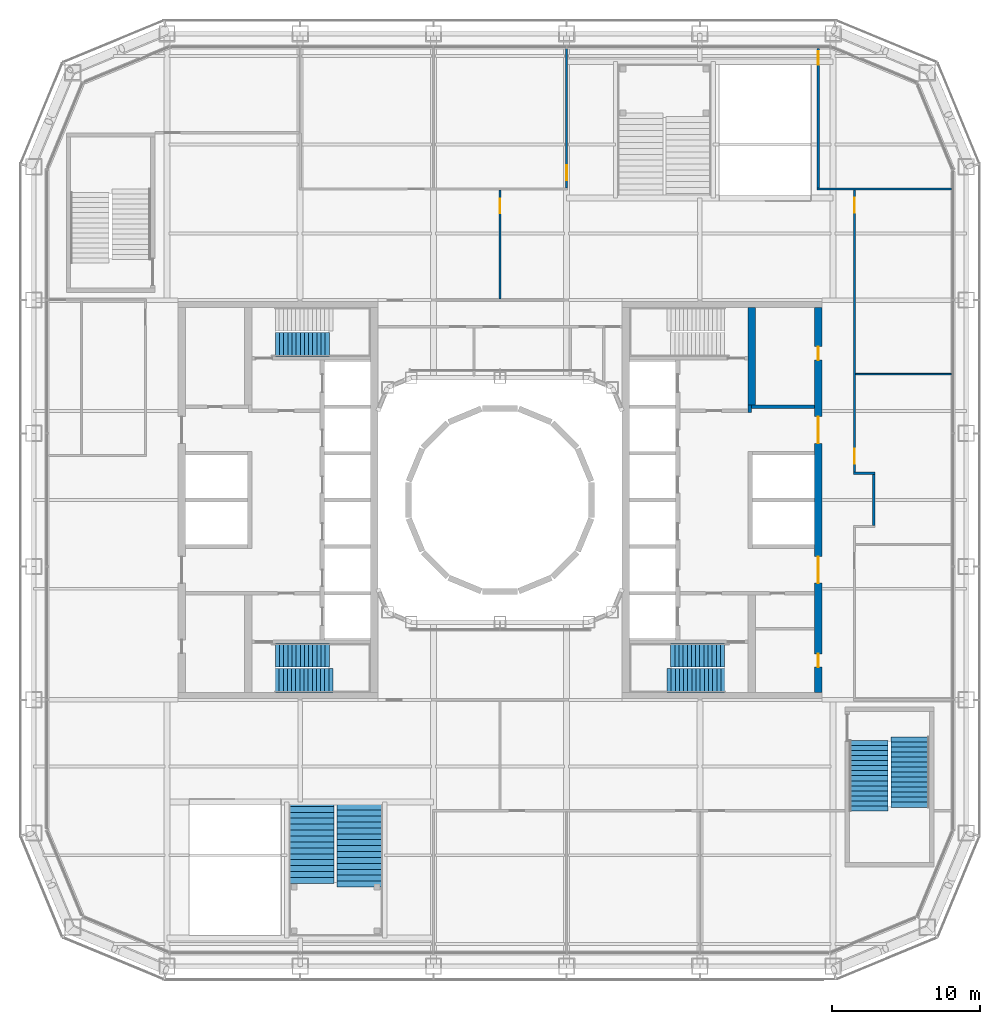
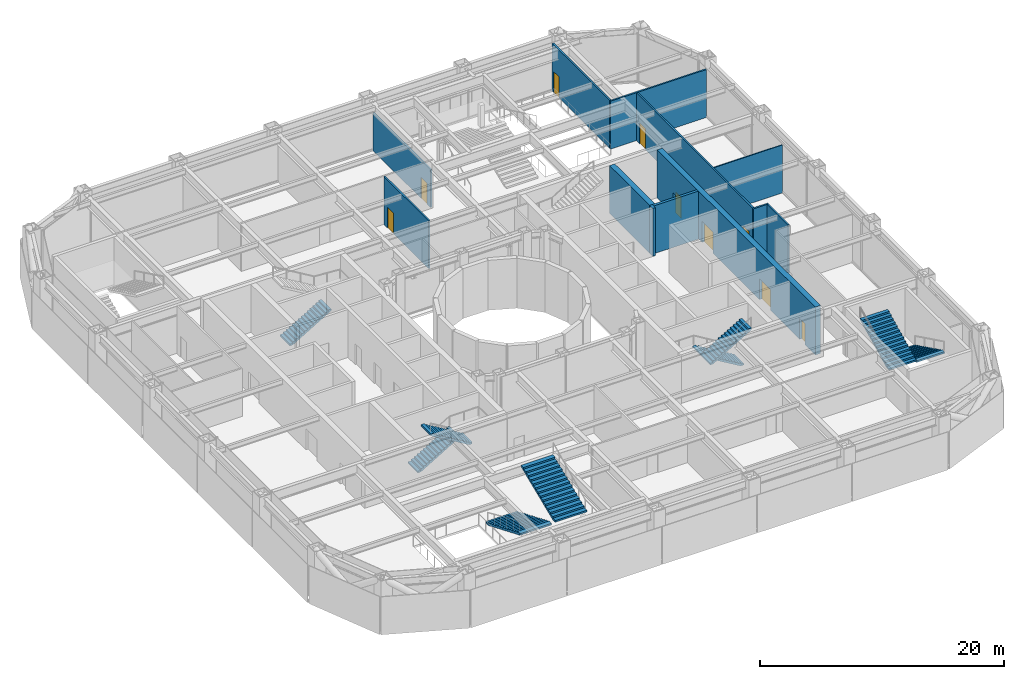
# One storey, part 15 of 25: 12 walls, 9 doors, 9 stair flights, 9 openings, 5 elements without a shape of their own.
"""IFC4 building model written with IfcOpenShell, lengths in metres."""

from ifc_helpers import new_model, si_unit, direction, frame, frame_2d, origin, place, context, subcontext, project, spatial, polyline, rectangle, outline, extrude, material, layer, layer_set, type_object, element, fill, aggregate, save


model = new_model("IFC4")

# Units and contexts
model_context = context("Model", 3, precision=1e-05, world=origin(), true_north=direction((0.0, 1.0)))
body_context = subcontext(model_context, "Body", "Model", "MODEL_VIEW")
ifc_project = project(units=[si_unit("LENGTHUNIT", "METRE"), si_unit("AREAUNIT", "SQUARE_METRE"), si_unit("VOLUMEUNIT", "CUBIC_METRE"), si_unit("PLANEANGLEUNIT", "RADIAN"), si_unit("MASSUNIT", "GRAM", prefix="KILO")], contexts=[model_context])

# Site, building, storey
site_placement = place(None, origin())
site = spatial("IfcSite", under=ifc_project, at=site_placement, CompositionType="ELEMENT")
building_placement = place(site_placement, origin())
building = spatial("IfcBuilding", under=site, at=building_placement, Name="Siwar Civic Tower", CompositionType="ELEMENT")
storey_placement = place(building_placement, frame((0.0, 0.0, 7.199951171875)))
storey = spatial("IfcBuildingStorey", under=building, at=storey_placement, Name="L01", CompositionType="ELEMENT", Elevation=7.199951171875)

# Wall
ifc_material_1 = material(Name="Gypsum board on steel studs", Category="steel")
ifc_layer_1 = layer(ifc_material_1, 0.14990234375)
ifc_layer_set_1 = layer_set([ifc_layer_1], Name="Gypsum board on steel studs")
wall_type_1 = type_object("IfcWallType", Name="COMPARTMENT PARTITION 150 EI 60", PredefinedType="PARTITIONING", material=ifc_layer_set_1)
wall_1_placement = place(storey_placement, frame((21.425048828125, 21.0, 0.0), z_axis=(0.0, 0.0, 1.0), x_axis=(1.0, 0.0, 0.0)))
element("IfcWall", 1, at=wall_1_placement, inside=storey, type_object=wall_type_1, Name="L01/wall/P15", PredefinedType="PARTITIONING", context=body_context, shape_type="SweptSolid", body=[
    extrude(rectangle(XDim=9.0849609375, YDim=0.14990234375, at=frame_2d((4.54248046875, 0.0))), origin(), (0.0, 0.0, 1.0), 4.800048828125),
])

# Wall, opening, door
wall_2_placement = place(storey_placement, frame((21.5, 21.074951171875, 0.0), z_axis=(0.0, 0.0, 1.0), x_axis=(0.0, 1.0, 0.0)))
wall_2 = element("IfcWall", 2, at=wall_2_placement, inside=storey, type_object=wall_type_1, Name="L01/wall/P31", PredefinedType="PARTITIONING", context=body_context, shape_type="SweptSolid", body=[
    extrude(rectangle(XDim=9.43505859375, YDim=0.14990234375, at=frame_2d((4.717529296875, 0.0))), origin(), (0.0, 0.0, 1.0), 4.800048828125),
])
opening_1_placement = place(wall_2_placement, frame((8.324951171875, 0.0, 0.0)))
opening_1 = element("IfcOpeningElement", 3, at=opening_1_placement, cuts=wall_2, Name="Opening D4", PredefinedType="OPENING", context=body_context, shape_type="SweptSolid", body=[
    extrude(rectangle(XDim=0.89990234375, YDim=2.10009765625, at=frame_2d((0.449951171875, 1.050048828125))), frame((0.0, 0.0849609375, 0.0), z_axis=(0.0, -1.0, 0.0), x_axis=(1.0, 0.0, 0.0)), (0.0, 0.0, 1.0), 0.169921875),
])
ifc_material_2 = material(Name="Timber, painted", Category="wood")
door_type_1 = type_object("IfcDoorType", Name="DOOR 900 X 2100 FD60", OperationType="SINGLE_SWING_LEFT", PredefinedType="DOOR", material=ifc_material_2)
door_1_placement = place(opening_1_placement, origin())
door_1 = element("IfcDoor", 4, at=door_1_placement, inside=storey, type_object=door_type_1, Name="L01-D19", OperationType="SINGLE_SWING_RIGHT", OverallHeight=2.10009765625, OverallWidth=0.89990234375, PredefinedType="DOOR", context=body_context, shape_type="SweptSolid", body=[
    extrude(rectangle(XDim=0.89990234375, YDim=2.10009765625, at=frame_2d((0.449951171875, 1.050048828125))), frame((0.0, 0.02490234375, 0.0), z_axis=(0.0, -1.0, 0.0), x_axis=(1.0, 0.0, 0.0)), (0.0, 0.0, 1.0), 0.050048828125),
])
fill(opening_1, door_1)

# Walls
ifc_material_3 = material(Name="Concrete C60/75", Category="concrete")
ifc_layer_2 = layer(ifc_material_3, 0.25)
ifc_layer_set_2 = layer_set([ifc_layer_2], Name="Concrete C60/75")
wall_type_2 = type_object("IfcWallType", Name="CORE-WALL-RC250", PredefinedType="SHEAR", material=ifc_layer_set_2)
wall_3_placement = place(storey_placement, frame((16.875, 5.89990234375, 0.0), z_axis=(0.0, 0.0, 1.0), x_axis=(0.0, 1.0, 0.0)))
element("IfcWall", 5, at=wall_3_placement, inside=storey, type_object=wall_type_2, Name="Core wall E", PredefinedType="SHEAR", context=body_context, shape_type="SweptSolid", body=[
    extrude(rectangle(XDim=0.525146484375, YDim=0.25, at=frame_2d((0.2626953125, 0.0))), origin(), (0.0, 0.0, 1.0), 4.800048828125),
])
wall_4_placement = place(storey_placement, frame((17.0, 6.300048828125, 0.0), z_axis=(0.0, 0.0, 1.0), x_axis=(1.0, 0.0, 0.0)))
element("IfcWall", 6, at=wall_4_placement, inside=storey, type_object=wall_type_2, Name="Core wall E", PredefinedType="SHEAR", context=body_context, shape_type="SweptSolid", body=[
    extrude(rectangle(XDim=4.25, YDim=0.25, at=frame_2d((2.125, 0.0))), origin(), (0.0, 0.0, 1.0), 4.800048828125),
])

# Wall, openings, doors
ifc_material_4 = material(Name="Concrete C60/75", Category="concrete")
ifc_layer_3 = layer(ifc_material_4, 0.5)
ifc_layer_set_3 = layer_set([ifc_layer_3], Name="Concrete C60/75")
wall_type_3 = type_object("IfcWallType", Name="CORE-WALL-RC500", PredefinedType="SHEAR", material=ifc_layer_set_3)
wall_5_placement = place(storey_placement, frame((21.5, -13.0, 0.0), z_axis=(0.0, 0.0, 1.0), x_axis=(0.0, 1.0, 0.0)))
wall_5 = element("IfcWall", 7, at=wall_5_placement, inside=storey, type_object=wall_type_3, Name="Core wall E", PredefinedType="SHEAR", context=body_context, shape_type="SweptSolid", body=[
    extrude(rectangle(XDim=26.0, YDim=0.5, at=frame_2d((13.0, 0.0))), origin(), (0.0, 0.0, 1.0), 4.800048828125),
])
opening_2_placement = place(wall_5_placement, frame((16.824951171875, 0.0, 0.0)))
opening_2 = element("IfcOpeningElement", 8, at=opening_2_placement, cuts=wall_5, Name="Opening L01-CE05", PredefinedType="OPENING", context=body_context, shape_type="SweptSolid", body=[
    extrude(rectangle(XDim=1.800048828125, YDim=2.10009765625, at=frame_2d((0.89990234375, 1.050048828125))), frame((0.0, 0.260009765625, 0.0), z_axis=(0.0, -1.0, 0.0), x_axis=(1.0, 0.0, 0.0)), (0.0, 0.0, 1.0), 0.52001953125),
])
opening_3_placement = place(wall_5_placement, frame((7.375, 0.0, 0.0)))
opening_3 = element("IfcOpeningElement", 9, at=opening_3_placement, cuts=wall_5, Name="Opening L01-CE06", PredefinedType="OPENING", context=body_context, shape_type="SweptSolid", body=[
    extrude(rectangle(XDim=1.800048828125, YDim=2.10009765625, at=frame_2d((0.89990234375, 1.050048828125))), frame((0.0, 0.260009765625, 0.0), z_axis=(0.0, -1.0, 0.0), x_axis=(1.0, 0.0, 0.0)), (0.0, 0.0, 1.0), 0.52001953125),
])
opening_4_placement = place(wall_5_placement, frame((22.449951171875, 0.0, 0.0)))
opening_4 = element("IfcOpeningElement", 10, at=opening_4_placement, cuts=wall_5, Name="Opening L01-CE13", PredefinedType="OPENING", context=body_context, shape_type="SweptSolid", body=[
    extrude(rectangle(XDim=0.89990234375, YDim=2.10009765625, at=frame_2d((0.449951171875, 1.050048828125))), frame((0.0, 0.260009765625, 0.0), z_axis=(0.0, -1.0, 0.0), x_axis=(1.0, 0.0, 0.0)), (0.0, 0.0, 1.0), 0.52001953125),
])
opening_5_placement = place(wall_5_placement, frame((1.699951171875, 0.0, 0.0)))
opening_5 = element("IfcOpeningElement", 11, at=opening_5_placement, cuts=wall_5, Name="Opening L01-CE15", PredefinedType="OPENING", context=body_context, shape_type="SweptSolid", body=[
    extrude(rectangle(XDim=0.89990234375, YDim=2.10009765625, at=frame_2d((0.449951171875, 1.050048828125))), frame((0.0, 0.260009765625, 0.0), z_axis=(0.0, -1.0, 0.0), x_axis=(1.0, 0.0, 0.0)), (0.0, 0.0, 1.0), 0.52001953125),
])
ifc_material_5 = material(Name="Steel door leaf", Category="steel")
door_type_2 = type_object("IfcDoorType", Name="CORE-DOOR-PORT", OperationType="DOUBLE_DOOR_DOUBLE_SWING", PredefinedType="DOOR", material=ifc_material_5)
door_2_placement = place(opening_2_placement, origin())
door_2 = element("IfcDoor", 12, at=door_2_placement, inside=storey, type_object=door_type_2, Name="Core entrance door L01-CE05", OperationType="DOUBLE_DOOR_DOUBLE_SWING", OverallHeight=2.10009765625, OverallWidth=1.800048828125, PredefinedType="DOOR", context=body_context, shape_type="SweptSolid", body=[
    extrude(rectangle(XDim=1.800048828125, YDim=2.10009765625, at=frame_2d((0.89990234375, 1.050048828125))), frame((0.0, 0.02490234375, 0.0), z_axis=(0.0, -1.0, 0.0), x_axis=(1.0, 0.0, 0.0)), (0.0, 0.0, 1.0), 0.050048828125),
])
fill(opening_2, door_2)
door_3_placement = place(opening_3_placement, origin())
door_3 = element("IfcDoor", 13, at=door_3_placement, inside=storey, type_object=door_type_2, Name="Core entrance door L01-CE06", OperationType="DOUBLE_DOOR_DOUBLE_SWING", OverallHeight=2.10009765625, OverallWidth=1.800048828125, PredefinedType="DOOR", context=body_context, shape_type="SweptSolid", body=[
    extrude(rectangle(XDim=1.800048828125, YDim=2.10009765625, at=frame_2d((0.89990234375, 1.050048828125))), frame((0.0, 0.02490234375, 0.0), z_axis=(0.0, -1.0, 0.0), x_axis=(1.0, 0.0, 0.0)), (0.0, 0.0, 1.0), 0.050048828125),
])
fill(opening_3, door_3)
ifc_material_6 = material(Name="Steel door leaf", Category="steel")
door_type_3 = type_object("IfcDoorType", Name="CORE-DOOR-ROOM", OperationType="SINGLE_SWING_LEFT", PredefinedType="DOOR", material=ifc_material_6)
door_4_placement = place(opening_4_placement, origin())
door_4 = element("IfcDoor", 14, at=door_4_placement, inside=storey, type_object=door_type_3, Name="Core room door L01-CE13", OperationType="SINGLE_SWING_LEFT", OverallHeight=2.10009765625, OverallWidth=0.89990234375, PredefinedType="DOOR", context=body_context, shape_type="SweptSolid", body=[
    extrude(rectangle(XDim=0.89990234375, YDim=2.10009765625, at=frame_2d((0.449951171875, 1.050048828125))), frame((0.0, 0.02490234375, 0.0), z_axis=(0.0, -1.0, 0.0), x_axis=(1.0, 0.0, 0.0)), (0.0, 0.0, 1.0), 0.050048828125),
])
fill(opening_4, door_4)
door_5_placement = place(opening_5_placement, origin())
door_5 = element("IfcDoor", 15, at=door_5_placement, inside=storey, type_object=door_type_3, Name="Core room door L01-CE15", OperationType="SINGLE_SWING_LEFT", OverallHeight=2.10009765625, OverallWidth=0.89990234375, PredefinedType="DOOR", context=body_context, shape_type="SweptSolid", body=[
    extrude(rectangle(XDim=0.89990234375, YDim=2.10009765625, at=frame_2d((0.449951171875, 1.050048828125))), frame((0.0, 0.02490234375, 0.0), z_axis=(0.0, -1.0, 0.0), x_axis=(1.0, 0.0, 0.0)), (0.0, 0.0, 1.0), 0.050048828125),
])
fill(opening_5, door_5)

# Walls
wall_6_placement = place(storey_placement, frame((17.0, 6.425048828125, 0.0), z_axis=(0.0, 0.0, 1.0), x_axis=(0.0, 1.0, 0.0)))
element("IfcWall", 16, at=wall_6_placement, inside=storey, type_object=wall_type_3, Name="Core wall E", PredefinedType="SHEAR", context=body_context, shape_type="SweptSolid", body=[
    extrude(rectangle(XDim=6.574951171875, YDim=0.5, at=frame_2d((3.28759765625, 0.0))), origin(), (0.0, 0.0, 1.0), 4.800048828125),
])
ifc_material_7 = material(Name="Gypsum board on steel studs", Category="steel")
ifc_layer_4 = layer(ifc_material_7, 0.14990234375)
ifc_layer_set_4 = layer_set([ifc_layer_4], Name="Gypsum board on steel studs")
wall_type_4 = type_object("IfcWallType", Name="CORRIDOR PARTITION 150 EI 30", PredefinedType="PARTITIONING", material=ifc_layer_set_4)
wall_7_placement = place(storey_placement, frame((23.875, 1.800048828125, 0.0), z_axis=(0.0, 0.0, 1.0), x_axis=(1.0, 0.0, 0.0)))
element("IfcWall", 17, at=wall_7_placement, inside=storey, type_object=wall_type_4, Name="L01/wall/P07", PredefinedType="PARTITIONING", context=body_context, shape_type="SweptSolid", body=[
    extrude(rectangle(XDim=1.449951171875, YDim=0.14990234375, at=frame_2d((0.72509765625, 0.0))), origin(), (0.0, 0.0, 1.0), 4.800048828125),
])

# Wall, opening, door
wall_8_placement = place(storey_placement, frame((0.0, 13.574951171875, 0.0), z_axis=(0.0, 0.0, 1.0), x_axis=(0.0, 1.0, 0.0)))
wall_8 = element("IfcWall", 18, at=wall_8_placement, inside=storey, type_object=wall_type_4, Name="L01/wall/P25", PredefinedType="PARTITIONING", context=body_context, shape_type="SweptSolid", body=[
    extrude(rectangle(XDim=7.35009765625, YDim=0.14990234375, at=frame_2d((3.675048828125, 0.0))), origin(), (0.0, 0.0, 1.0), 4.800048828125),
])
opening_6_placement = place(wall_8_placement, frame((5.77490234375, 0.0, 0.0)))
opening_6 = element("IfcOpeningElement", 19, at=opening_6_placement, cuts=wall_8, Name="Opening D1", PredefinedType="OPENING", context=body_context, shape_type="SweptSolid", body=[
    extrude(rectangle(XDim=1.0, YDim=2.10009765625, at=frame_2d((0.5, 1.050048828125))), frame((0.0, 0.0849609375, 0.0), z_axis=(0.0, -1.0, 0.0), x_axis=(1.0, 0.0, 0.0)), (0.0, 0.0, 1.0), 0.169921875),
])
ifc_material_8 = material(Name="Timber, painted", Category="wood")
door_type_4 = type_object("IfcDoorType", Name="DOOR 1000 X 2100 FD30", OperationType="SINGLE_SWING_LEFT", PredefinedType="DOOR", material=ifc_material_8)
door_6_placement = place(opening_6_placement, origin())
door_6 = element("IfcDoor", 20, at=door_6_placement, inside=storey, type_object=door_type_4, Name="L01-D01", OperationType="SINGLE_SWING_LEFT", OverallHeight=2.10009765625, OverallWidth=1.0, PredefinedType="DOOR", context=body_context, shape_type="SweptSolid", body=[
    extrude(rectangle(XDim=1.0, YDim=2.10009765625, at=frame_2d((0.5, 1.050048828125))), frame((0.0, 0.02490234375, 0.0), z_axis=(0.0, -1.0, 0.0), x_axis=(1.0, 0.0, 0.0)), (0.0, 0.0, 1.0), 0.050048828125),
])
fill(opening_6, door_6)

wall_9_placement = place(storey_placement, frame((4.5, 21.074951171875, 0.0), z_axis=(0.0, 0.0, 1.0), x_axis=(0.0, 1.0, 0.0)))
wall_9 = element("IfcWall", 21, at=wall_9_placement, inside=storey, type_object=wall_type_4, Name="L01/wall/P27", PredefinedType="PARTITIONING", context=body_context, shape_type="SweptSolid", body=[
    extrude(rectangle(XDim=9.43505859375, YDim=0.14990234375, at=frame_2d((4.717529296875, 0.0))), origin(), (0.0, 0.0, 1.0), 3.800048828125),
])
opening_7_placement = place(wall_9_placement, frame((0.534912109375, 0.0, 0.0)))
opening_7 = element("IfcOpeningElement", 22, at=opening_7_placement, cuts=wall_9, Name="Opening D1", PredefinedType="OPENING", context=body_context, shape_type="SweptSolid", body=[
    extrude(rectangle(XDim=1.0, YDim=2.10009765625, at=frame_2d((0.5, 1.050048828125))), frame((0.0, 0.0849609375, 0.0), z_axis=(0.0, -1.0, 0.0), x_axis=(1.0, 0.0, 0.0)), (0.0, 0.0, 1.0), 0.169921875),
])
door_7_placement = place(opening_7_placement, origin())
door_7 = element("IfcDoor", 23, at=door_7_placement, inside=storey, type_object=door_type_4, Name="L01-D04", OperationType="SINGLE_SWING_RIGHT", OverallHeight=2.10009765625, OverallWidth=1.0, PredefinedType="DOOR", context=body_context, shape_type="SweptSolid", body=[
    extrude(rectangle(XDim=1.0, YDim=2.10009765625, at=frame_2d((0.5, 1.050048828125))), frame((0.0, 0.02490234375, 0.0), z_axis=(0.0, -1.0, 0.0), x_axis=(1.0, 0.0, 0.0)), (0.0, 0.0, 1.0), 0.050048828125),
])
fill(opening_7, door_7)

# Wall, openings, doors
wall_10_placement = place(storey_placement, frame((23.949951171875, 1.875, 0.0), z_axis=(0.0, 0.0, 1.0), x_axis=(0.0, 1.0, 0.0)))
wall_10 = element("IfcWall", 24, at=wall_10_placement, inside=storey, type_object=wall_type_4, Name="L01/wall/P33", PredefinedType="PARTITIONING", context=body_context, shape_type="SweptSolid", body=[
    extrude(rectangle(XDim=19.050048828125, YDim=0.14990234375, at=frame_2d((9.52490234375, 0.0))), origin(), (0.0, 0.0, 1.0), 4.800048828125),
])
opening_8_placement = place(wall_10_placement, frame((0.574951171875, 0.0, 0.0)))
opening_8 = element("IfcOpeningElement", 25, at=opening_8_placement, cuts=wall_10, Name="Opening D1", PredefinedType="OPENING", context=body_context, shape_type="SweptSolid", body=[
    extrude(rectangle(XDim=1.0, YDim=2.10009765625, at=frame_2d((0.5, 1.050048828125))), frame((0.0, 0.0849609375, 0.0), z_axis=(0.0, -1.0, 0.0), x_axis=(1.0, 0.0, 0.0)), (0.0, 0.0, 1.0), 0.169921875),
])
opening_9_placement = place(wall_10_placement, frame((17.52490234375, 0.0, 0.0)))
opening_9 = element("IfcOpeningElement", 26, at=opening_9_placement, cuts=wall_10, Name="Opening D1", PredefinedType="OPENING", context=body_context, shape_type="SweptSolid", body=[
    extrude(rectangle(XDim=1.0, YDim=2.10009765625, at=frame_2d((0.5, 1.050048828125))), frame((0.0, 0.0849609375, 0.0), z_axis=(0.0, -1.0, 0.0), x_axis=(1.0, 0.0, 0.0)), (0.0, 0.0, 1.0), 0.169921875),
])
door_8_placement = place(opening_8_placement, origin())
door_8 = element("IfcDoor", 27, at=door_8_placement, inside=storey, type_object=door_type_4, Name="L01-D17", OperationType="SINGLE_SWING_LEFT", OverallHeight=2.10009765625, OverallWidth=1.0, PredefinedType="DOOR", context=body_context, shape_type="SweptSolid", body=[
    extrude(rectangle(XDim=1.0, YDim=2.10009765625, at=frame_2d((0.5, 1.050048828125))), frame((0.0, 0.02490234375, 0.0), z_axis=(0.0, -1.0, 0.0), x_axis=(1.0, 0.0, 0.0)), (0.0, 0.0, 1.0), 0.050048828125),
])
fill(opening_8, door_8)
door_9_placement = place(opening_9_placement, origin())
door_9 = element("IfcDoor", 28, at=door_9_placement, inside=storey, type_object=door_type_4, Name="L01-D18", OperationType="SINGLE_SWING_RIGHT", OverallHeight=2.10009765625, OverallWidth=1.0, PredefinedType="DOOR", context=body_context, shape_type="SweptSolid", body=[
    extrude(rectangle(XDim=1.0, YDim=2.10009765625, at=frame_2d((0.5, 1.050048828125))), frame((0.0, 0.02490234375, 0.0), z_axis=(0.0, -1.0, 0.0), x_axis=(1.0, 0.0, 0.0)), (0.0, 0.0, 1.0), 0.050048828125),
])
fill(opening_9, door_9)

# Walls
wall_11_placement = place(storey_placement, frame((25.25, -1.72509765625, 0.0), z_axis=(0.0, 0.0, 1.0), x_axis=(0.0, 1.0, 0.0)))
element("IfcWall", 29, at=wall_11_placement, inside=storey, type_object=wall_type_4, Name="L01/wall/P34", PredefinedType="PARTITIONING", context=body_context, shape_type="SweptSolid", body=[
    extrude(rectangle(XDim=3.4501953125, YDim=0.14990234375, at=frame_2d((1.72509765625, 0.0))), origin(), (0.0, 0.0, 1.0), 4.800048828125),
])
ifc_material_9 = material(Name="Gypsum board on steel studs", Category="steel")
ifc_layer_5 = layer(ifc_material_9, 0.10009765625)
ifc_layer_set_5 = layer_set([ifc_layer_5], Name="Gypsum board on steel studs")
wall_type_5 = type_object("IfcWallType", Name="PARTITION 100 GYPSUM", PredefinedType="PARTITIONING", material=ifc_layer_set_5)
wall_12_placement = place(storey_placement, frame((24.02490234375, 8.5, 0.0), z_axis=(0.0, 0.0, 1.0), x_axis=(1.0, 0.0, 0.0)))
element("IfcWall", 30, at=wall_12_placement, inside=storey, type_object=wall_type_5, Name="L01/wall/P09", PredefinedType="PARTITIONING", context=body_context, shape_type="SweptSolid", body=[
    extrude(rectangle(XDim=6.485107421875, YDim=0.10009765625, at=frame_2d((3.24267578125, 0.0))), origin(), (0.0, 0.0, 1.0), 4.800048828125),
])

# Stair, stair flight
ifc_material_10 = material(Name="Concrete C40/50", Category="concrete")
stair_type_1 = type_object("IfcStairType", Name="CORE-STAIR", PredefinedType="TWO_STRAIGHT_RUN_STAIR", material=ifc_material_10)
stair_1_placement = place(storey_placement, origin())
stair_1 = element("IfcStair", 31, at=stair_1_placement, inside=storey, type_object=stair_type_1, Name="Exit stair ST1", PredefinedType="TWO_STRAIGHT_RUN_STAIR")
ifc_material_11 = material(Name="Concrete C40/50", Category="concrete")
stair_flight_type_1 = type_object("IfcStairFlightType", Name="CORE-STAIR-FLIGHT", PredefinedType="STRAIGHT", material=ifc_material_11)
stair_flight_1_placement = place(storey_placement, frame((-15.449951171875, 10.5, 0.0), z_axis=(0.0, 0.0, 1.0), x_axis=(1.0, 0.0, 0.0)))
stair_flight_1 = element("IfcStairFlight", 32, at=stair_flight_1_placement, type_object=stair_flight_type_1, Name="ST1 flight 1", NumberOfRisers=15, NumberOfTreads=14, PredefinedType="STRAIGHT", RiserHeight=0.166666667, TreadLength=0.28, context=body_context, shape_type="SweptSolid", body=[
    extrude(outline(polyline([(0.0, 0.0), (0.0, 0.166748046875), (0.280029296875, 0.166748046875), (0.280029296875, 0.333251953125), (0.56005859375, 0.333251953125), (0.56005859375, 0.5), (0.840087890625, 0.5), (0.840087890625, 0.666748046875), (1.1201171875, 0.666748046875), (1.1201171875, 0.833251953125), (1.39990234375, 0.833251953125), (1.39990234375, 1.0), (1.679931640625, 1.0), (1.679931640625, 1.166748046875), (1.9599609375, 1.166748046875), (1.9599609375, 1.333251953125), (2.239990234375, 1.333251953125), (2.239990234375, 1.5), (2.52001953125, 1.5), (2.52001953125, 1.666748046875), (2.800048828125, 1.666748046875), (2.800048828125, 1.833251953125), (3.080078125, 1.833251953125), (3.080078125, 2.0), (3.360107421875, 2.0), (3.360107421875, 2.166748046875), (3.639892578125, 2.166748046875), (3.639892578125, 2.333251953125), (3.919921875, 2.333251953125), (3.919921875, 2.5), (3.919921875, 2.158935546875), (0.29296875, 0.0), (0.0, 0.0)])), frame((0.0, 0.800048828125, 0.0), z_axis=(0.0, -1.0, 0.0), x_axis=(1.0, 0.0, 0.0)), (0.0, 0.0, 1.0), 1.60009765625),
])
aggregate(stair_1, [stair_flight_1])

# Stair, stair flights
stair_2_placement = place(storey_placement, origin())
stair_2 = element("IfcStair", 33, at=stair_2_placement, inside=storey, type_object=stair_type_1, Name="Exit stair ST2", PredefinedType="TWO_STRAIGHT_RUN_STAIR")
stair_flight_2_placement = place(storey_placement, frame((-15.449951171875, -10.5, 0.0), z_axis=(0.0, 0.0, 1.0), x_axis=(1.0, 0.0, 0.0)))
stair_flight_2 = element("IfcStairFlight", 34, at=stair_flight_2_placement, type_object=stair_flight_type_1, Name="ST2 flight 1", NumberOfRisers=15, NumberOfTreads=14, PredefinedType="STRAIGHT", RiserHeight=0.166666667, TreadLength=0.28, context=body_context, shape_type="SweptSolid", body=[
    extrude(outline(polyline([(0.0, 0.0), (0.0, 0.166748046875), (0.280029296875, 0.166748046875), (0.280029296875, 0.333251953125), (0.56005859375, 0.333251953125), (0.56005859375, 0.5), (0.840087890625, 0.5), (0.840087890625, 0.666748046875), (1.1201171875, 0.666748046875), (1.1201171875, 0.833251953125), (1.39990234375, 0.833251953125), (1.39990234375, 1.0), (1.679931640625, 1.0), (1.679931640625, 1.166748046875), (1.9599609375, 1.166748046875), (1.9599609375, 1.333251953125), (2.239990234375, 1.333251953125), (2.239990234375, 1.5), (2.52001953125, 1.5), (2.52001953125, 1.666748046875), (2.800048828125, 1.666748046875), (2.800048828125, 1.833251953125), (3.080078125, 1.833251953125), (3.080078125, 2.0), (3.360107421875, 2.0), (3.360107421875, 2.166748046875), (3.639892578125, 2.166748046875), (3.639892578125, 2.333251953125), (3.919921875, 2.333251953125), (3.919921875, 2.5), (3.919921875, 2.158935546875), (0.29296875, 0.0), (0.0, 0.0)])), frame((0.0, 0.800048828125, 0.0), z_axis=(0.0, -1.0, 0.0), x_axis=(1.0, 0.0, 0.0)), (0.0, 0.0, 1.0), 1.60009765625),
])
stair_flight_3_placement = place(storey_placement, frame((-11.280029296875, -12.199951171875, 2.5), z_axis=(0.0, 0.0, 1.0), x_axis=(-1.0, 0.0, 0.0)))
stair_flight_3 = element("IfcStairFlight", 35, at=stair_flight_3_placement, type_object=stair_flight_type_1, Name="ST2 flight 2", NumberOfRisers=15, NumberOfTreads=14, PredefinedType="STRAIGHT", RiserHeight=0.166666667, TreadLength=0.28, context=body_context, shape_type="SweptSolid", body=[
    extrude(outline(polyline([(0.0, 0.0), (0.0, 0.166748046875), (0.280029296875, 0.166748046875), (0.280029296875, 0.333251953125), (0.56005859375, 0.333251953125), (0.56005859375, 0.5), (0.840087890625, 0.5), (0.840087890625, 0.666748046875), (1.1201171875, 0.666748046875), (1.1201171875, 0.833251953125), (1.39990234375, 0.833251953125), (1.39990234375, 1.0), (1.679931640625, 1.0), (1.679931640625, 1.166748046875), (1.9599609375, 1.166748046875), (1.9599609375, 1.333251953125), (2.239990234375, 1.333251953125), (2.239990234375, 1.5), (2.52001953125, 1.5), (2.52001953125, 1.666748046875), (2.800048828125, 1.666748046875), (2.800048828125, 1.833251953125), (3.080078125, 1.833251953125), (3.080078125, 2.0), (3.360107421875, 2.0), (3.360107421875, 2.166748046875), (3.639892578125, 2.166748046875), (3.639892578125, 2.333251953125), (3.919921875, 2.333251953125), (3.919921875, 2.5), (3.919921875, 2.158935546875), (0.29296875, 0.0), (0.0, 0.0)])), frame((0.0, 0.800048828125, 0.0), z_axis=(0.0, -1.0, 0.0), x_axis=(1.0, 0.0, 0.0)), (0.0, 0.0, 1.0), 1.60009765625),
])
aggregate(stair_2, [stair_flight_2, stair_flight_3])

stair_3_placement = place(storey_placement, origin())
stair_3 = element("IfcStair", 36, at=stair_3_placement, inside=storey, type_object=stair_type_1, Name="Exit stair ST4", PredefinedType="TWO_STRAIGHT_RUN_STAIR")
stair_flight_4_placement = place(storey_placement, frame((15.449951171875, -10.5, 0.0), z_axis=(0.0, 0.0, 1.0), x_axis=(-1.0, 0.0, 0.0)))
stair_flight_4 = element("IfcStairFlight", 37, at=stair_flight_4_placement, type_object=stair_flight_type_1, Name="ST4 flight 1", NumberOfRisers=15, NumberOfTreads=14, PredefinedType="STRAIGHT", RiserHeight=0.166666667, TreadLength=0.28, context=body_context, shape_type="SweptSolid", body=[
    extrude(outline(polyline([(0.0, 0.0), (0.0, 0.166748046875), (0.280029296875, 0.166748046875), (0.280029296875, 0.333251953125), (0.56005859375, 0.333251953125), (0.56005859375, 0.5), (0.840087890625, 0.5), (0.840087890625, 0.666748046875), (1.1201171875, 0.666748046875), (1.1201171875, 0.833251953125), (1.39990234375, 0.833251953125), (1.39990234375, 1.0), (1.679931640625, 1.0), (1.679931640625, 1.166748046875), (1.9599609375, 1.166748046875), (1.9599609375, 1.333251953125), (2.239990234375, 1.333251953125), (2.239990234375, 1.5), (2.52001953125, 1.5), (2.52001953125, 1.666748046875), (2.800048828125, 1.666748046875), (2.800048828125, 1.833251953125), (3.080078125, 1.833251953125), (3.080078125, 2.0), (3.360107421875, 2.0), (3.360107421875, 2.166748046875), (3.639892578125, 2.166748046875), (3.639892578125, 2.333251953125), (3.919921875, 2.333251953125), (3.919921875, 2.5), (3.919921875, 2.158935546875), (0.29296875, 0.0), (0.0, 0.0)])), frame((0.0, 0.800048828125, 0.0), z_axis=(0.0, -1.0, 0.0), x_axis=(1.0, 0.0, 0.0)), (0.0, 0.0, 1.0), 1.60009765625),
])
stair_flight_5_placement = place(storey_placement, frame((11.280029296875, -12.199951171875, 2.5), z_axis=(0.0, 0.0, 1.0), x_axis=(1.0, 0.0, 0.0)))
stair_flight_5 = element("IfcStairFlight", 38, at=stair_flight_5_placement, type_object=stair_flight_type_1, Name="ST4 flight 2", NumberOfRisers=15, NumberOfTreads=14, PredefinedType="STRAIGHT", RiserHeight=0.166666667, TreadLength=0.28, context=body_context, shape_type="SweptSolid", body=[
    extrude(outline(polyline([(0.0, 0.0), (0.0, 0.166748046875), (0.280029296875, 0.166748046875), (0.280029296875, 0.333251953125), (0.56005859375, 0.333251953125), (0.56005859375, 0.5), (0.840087890625, 0.5), (0.840087890625, 0.666748046875), (1.1201171875, 0.666748046875), (1.1201171875, 0.833251953125), (1.39990234375, 0.833251953125), (1.39990234375, 1.0), (1.679931640625, 1.0), (1.679931640625, 1.166748046875), (1.9599609375, 1.166748046875), (1.9599609375, 1.333251953125), (2.239990234375, 1.333251953125), (2.239990234375, 1.5), (2.52001953125, 1.5), (2.52001953125, 1.666748046875), (2.800048828125, 1.666748046875), (2.800048828125, 1.833251953125), (3.080078125, 1.833251953125), (3.080078125, 2.0), (3.360107421875, 2.0), (3.360107421875, 2.166748046875), (3.639892578125, 2.166748046875), (3.639892578125, 2.333251953125), (3.919921875, 2.333251953125), (3.919921875, 2.5), (3.919921875, 2.158935546875), (0.29296875, 0.0), (0.0, 0.0)])), frame((0.0, 0.800048828125, 0.0), z_axis=(0.0, -1.0, 0.0), x_axis=(1.0, 0.0, 0.0)), (0.0, 0.0, 1.0), 1.60009765625),
])
aggregate(stair_3, [stair_flight_4, stair_flight_5])

ifc_material_12 = material(Name="Concrete C40/50", Category="concrete")
stair_type_2 = type_object("IfcStairType", Name="GND-ES-STAIR-UPPER", PredefinedType="TWO_STRAIGHT_RUN_STAIR", material=ifc_material_12)
stair_4_placement = place(storey_placement, origin())
stair_4 = element("IfcStair", 39, at=stair_4_placement, inside=storey, type_object=stair_type_2, Name="Exit stair ST6", PredefinedType="TWO_STRAIGHT_RUN_STAIR")
ifc_material_13 = material(Name="Concrete C40/50", Category="concrete")
stair_flight_type_2 = type_object("IfcStairFlightType", Name="GND-ES-FLIGHT-UPPER", PredefinedType="STRAIGHT", material=ifc_material_13)
stair_flight_6_placement = place(storey_placement, frame((27.699951171875, -16.0, 0.0), z_axis=(0.0, 0.0, 1.0), x_axis=(0.0, -1.0, 0.0)))
stair_flight_6 = element("IfcStairFlight", 40, at=stair_flight_6_placement, type_object=stair_flight_type_2, Name="ST6 flight 1", NumberOfRisers=15, NumberOfTreads=14, PredefinedType="STRAIGHT", RiserHeight=0.166667, TreadLength=0.34, context=body_context, shape_type="SweptSolid", body=[
    extrude(outline(polyline([(0.0, 0.0), (0.0, 0.166748046875), (0.340087890625, 0.166748046875), (0.340087890625, 0.333251953125), (0.679931640625, 0.333251953125), (0.679931640625, 0.5), (1.02001953125, 0.5), (1.02001953125, 0.666748046875), (1.360107421875, 0.666748046875), (1.360107421875, 0.833251953125), (1.699951171875, 0.833251953125), (1.699951171875, 1.0), (2.0400390625, 1.0), (2.0400390625, 1.166748046875), (2.3798828125, 1.166748046875), (2.3798828125, 1.333251953125), (2.719970703125, 1.333251953125), (2.719970703125, 1.5), (3.06005859375, 1.5), (3.06005859375, 1.666748046875), (3.39990234375, 1.666748046875), (3.39990234375, 1.833251953125), (3.739990234375, 1.833251953125), (3.739990234375, 2.0), (4.080078125, 2.0), (4.080078125, 2.166748046875), (4.419921875, 2.166748046875), (4.419921875, 2.333251953125), (4.760009765625, 2.333251953125), (4.760009765625, 2.5), (4.760009765625, 2.16650390625), (0.340576171875, 0.0), (0.0, 0.0)])), frame((0.0, 1.300048828125, 0.0), z_axis=(0.0, -1.0, 0.0), x_axis=(1.0, 0.0, 0.0)), (0.0, 0.0, 1.0), 2.60009765625),
])
stair_flight_7_placement = place(storey_placement, frame((24.89990234375, -21.010009765625, 2.5), z_axis=(0.0, 0.0, 1.0), x_axis=(0.0, 1.0, 0.0)))
stair_flight_7 = element("IfcStairFlight", 41, at=stair_flight_7_placement, type_object=stair_flight_type_2, Name="ST6 flight 2", NumberOfRisers=15, NumberOfTreads=14, PredefinedType="STRAIGHT", RiserHeight=0.166667, TreadLength=0.34, context=body_context, shape_type="SweptSolid", body=[
    extrude(outline(polyline([(0.0, 0.0), (0.0, 0.166748046875), (0.340087890625, 0.166748046875), (0.340087890625, 0.333251953125), (0.679931640625, 0.333251953125), (0.679931640625, 0.5), (1.02001953125, 0.5), (1.02001953125, 0.666748046875), (1.360107421875, 0.666748046875), (1.360107421875, 0.833251953125), (1.699951171875, 0.833251953125), (1.699951171875, 1.0), (2.0400390625, 1.0), (2.0400390625, 1.166748046875), (2.3798828125, 1.166748046875), (2.3798828125, 1.333251953125), (2.719970703125, 1.333251953125), (2.719970703125, 1.5), (3.06005859375, 1.5), (3.06005859375, 1.666748046875), (3.39990234375, 1.666748046875), (3.39990234375, 1.833251953125), (3.739990234375, 1.833251953125), (3.739990234375, 2.0), (4.080078125, 2.0), (4.080078125, 2.166748046875), (4.419921875, 2.166748046875), (4.419921875, 2.333251953125), (4.760009765625, 2.333251953125), (4.760009765625, 2.5), (4.760009765625, 2.16650390625), (0.340576171875, 0.0), (0.0, 0.0)])), frame((0.0, 1.300048828125, 0.0), z_axis=(0.0, -1.0, 0.0), x_axis=(1.0, 0.0, 0.0)), (0.0, 0.0, 1.0), 2.60009765625),
])
aggregate(stair_4, [stair_flight_6, stair_flight_7])

ifc_material_14 = material(Name="Concrete C40/50", Category="concrete")
stair_type_3 = type_object("IfcStairType", Name="GND-GS-STAIR", PredefinedType="TWO_STRAIGHT_RUN_STAIR", material=ifc_material_14)
stair_5_placement = place(storey_placement, origin())
stair_5 = element("IfcStair", 42, at=stair_5_placement, inside=storey, type_object=stair_type_3, Name="Grand stair 1", PredefinedType="TWO_STRAIGHT_RUN_STAIR")
ifc_material_15 = material(Name="Concrete C40/50", Category="concrete")
stair_flight_type_3 = type_object("IfcStairFlightType", Name="GND-GS-FLIGHT", PredefinedType="STRAIGHT", material=ifc_material_15)
stair_flight_8_placement = place(storey_placement, frame((-12.699951171875, -20.300048828125, 0.0), z_axis=(0.0, 0.0, 1.0), x_axis=(0.0, -1.0, 0.0)))
stair_flight_8 = element("IfcStairFlight", 43, at=stair_flight_8_placement, type_object=stair_flight_type_3, Name="GS1 flight 1", NumberOfRisers=15, NumberOfTreads=14, PredefinedType="STRAIGHT", RiserHeight=0.166667, TreadLength=0.4, context=body_context, shape_type="SweptSolid", body=[
    extrude(outline(polyline([(0.0, 0.0), (0.0, 0.166748046875), (0.39990234375, 0.166748046875), (0.39990234375, 0.333251953125), (0.800048828125, 0.333251953125), (0.800048828125, 0.5), (1.199951171875, 0.5), (1.199951171875, 0.666748046875), (1.60009765625, 0.666748046875), (1.60009765625, 0.833251953125), (2.0, 0.833251953125), (2.0, 1.0), (2.39990234375, 1.0), (2.39990234375, 1.166748046875), (2.800048828125, 1.166748046875), (2.800048828125, 1.333251953125), (3.199951171875, 1.333251953125), (3.199951171875, 1.5), (3.60009765625, 1.5), (3.60009765625, 1.666748046875), (4.0, 1.666748046875), (4.0, 1.833251953125), (4.39990234375, 1.833251953125), (4.39990234375, 2.0), (4.800048828125, 2.0), (4.800048828125, 2.166748046875), (5.199951171875, 2.166748046875), (5.199951171875, 2.333251953125), (5.60009765625, 2.333251953125), (5.60009765625, 2.5), (5.60009765625, 2.1708984375), (0.3896484375, 0.0), (0.0, 0.0)])), frame((0.0, 1.5, 0.0), z_axis=(0.0, -1.0, 0.0), x_axis=(1.0, 0.0, 0.0)), (0.0, 0.0, 1.0), 3.0),
])
stair_flight_9_placement = place(storey_placement, frame((-9.5, -26.14990234375, 2.5), z_axis=(0.0, 0.0, 1.0), x_axis=(0.0, 1.0, 0.0)))
stair_flight_9 = element("IfcStairFlight", 44, at=stair_flight_9_placement, type_object=stair_flight_type_3, Name="GS1 flight 2", NumberOfRisers=15, NumberOfTreads=14, PredefinedType="STRAIGHT", RiserHeight=0.166667, TreadLength=0.4, context=body_context, shape_type="SweptSolid", body=[
    extrude(outline(polyline([(0.0, 0.0), (0.0, 0.166748046875), (0.39990234375, 0.166748046875), (0.39990234375, 0.333251953125), (0.800048828125, 0.333251953125), (0.800048828125, 0.5), (1.199951171875, 0.5), (1.199951171875, 0.666748046875), (1.60009765625, 0.666748046875), (1.60009765625, 0.833251953125), (2.0, 0.833251953125), (2.0, 1.0), (2.39990234375, 1.0), (2.39990234375, 1.166748046875), (2.800048828125, 1.166748046875), (2.800048828125, 1.333251953125), (3.199951171875, 1.333251953125), (3.199951171875, 1.5), (3.60009765625, 1.5), (3.60009765625, 1.666748046875), (4.0, 1.666748046875), (4.0, 1.833251953125), (4.39990234375, 1.833251953125), (4.39990234375, 2.0), (4.800048828125, 2.0), (4.800048828125, 2.166748046875), (5.199951171875, 2.166748046875), (5.199951171875, 2.333251953125), (5.60009765625, 2.333251953125), (5.60009765625, 2.5), (5.60009765625, 2.1708984375), (0.3896484375, 0.0), (0.0, 0.0)])), frame((0.0, 1.5, 0.0), z_axis=(0.0, -1.0, 0.0), x_axis=(1.0, 0.0, 0.0)), (0.0, 0.0, 1.0), 3.0),
])
aggregate(stair_5, [stair_flight_8, stair_flight_9])

save(model, "model.ifc")
